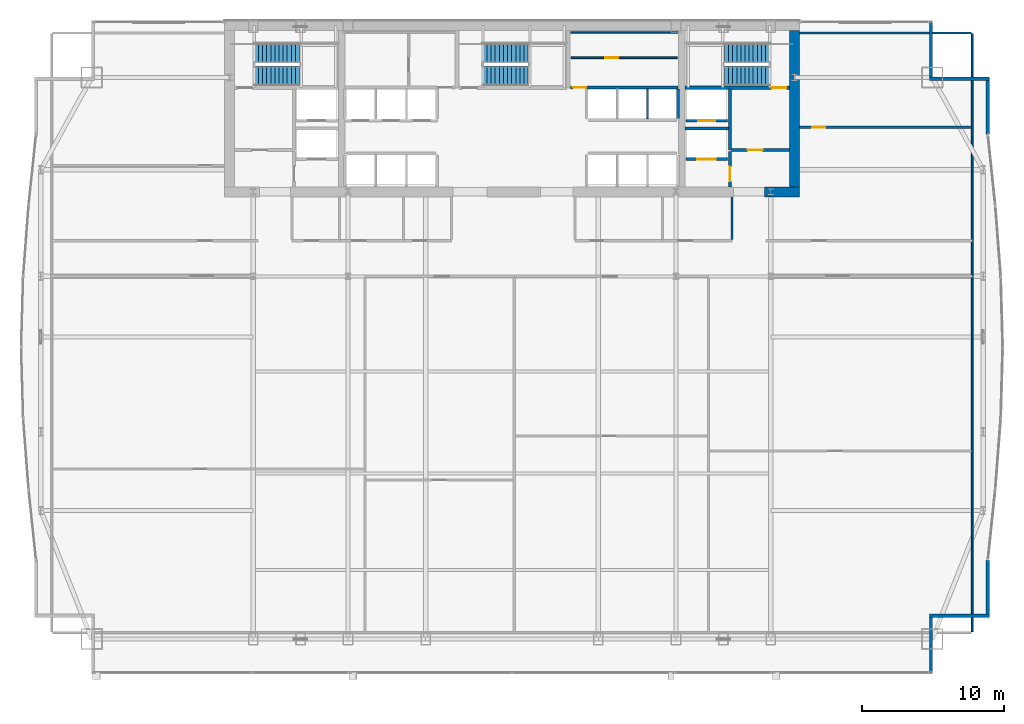
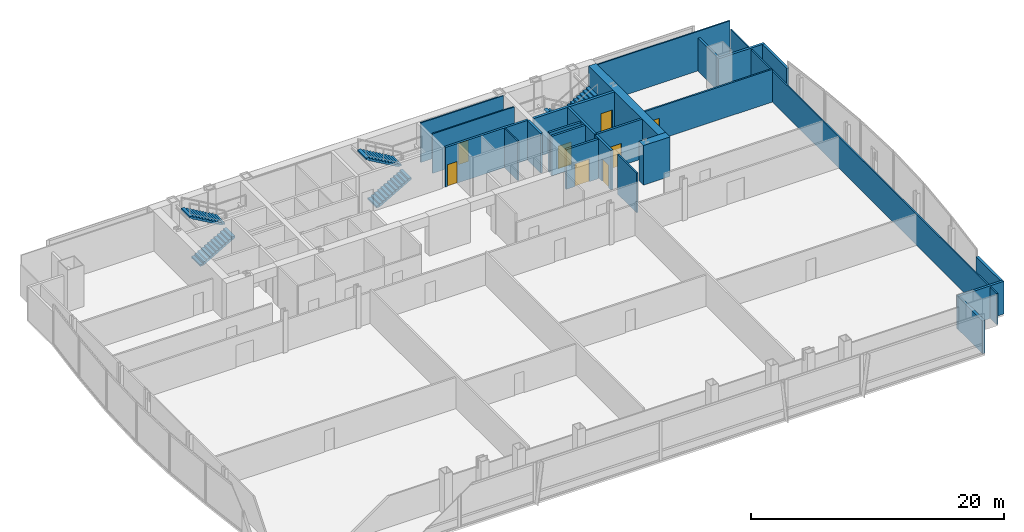
# One storey, part 28 of 30: 24 walls, 8 doors, 6 stair flights, 8 openings, 3 elements without a shape of their own.
"""IFC4 building model written with IfcOpenShell, lengths in metres."""

from ifc_helpers import new_model, si_unit, direction, frame, frame_2d, origin, place, context, subcontext, project, spatial, polyline, rectangle, outline, extrude, material, layer, layer_set, type_object, element, fill, aggregate, save


model = new_model("IFC4")

# Units and contexts
model_context = context("Model", 3, precision=1e-05, world=origin(), true_north=direction((0.0, 1.0)))
body_context = subcontext(model_context, "Body", "Model", "MODEL_VIEW")
ifc_project = project(units=[si_unit("LENGTHUNIT", "METRE"), si_unit("AREAUNIT", "SQUARE_METRE"), si_unit("VOLUMEUNIT", "CUBIC_METRE"), si_unit("PLANEANGLEUNIT", "RADIAN"), si_unit("MASSUNIT", "GRAM", prefix="KILO")], contexts=[model_context])

# Site, building, storey
site_placement = place(None, origin())
site = spatial("IfcSite", under=ifc_project, at=site_placement, CompositionType="ELEMENT")
building_placement = place(site_placement, origin())
building = spatial("IfcBuilding", under=site, at=building_placement, Name="Khoronbel Lancet Exchange", CompositionType="ELEMENT")
storey_placement = place(building_placement, frame((0.0, 0.0, 90.60009765625)))
storey = spatial("IfcBuildingStorey", under=building, at=storey_placement, Name="L21", CompositionType="ELEMENT", Elevation=90.60009765625)

# Walls
ifc_material_1 = material(Name="Concrete C80/95", Category="concrete")
ifc_layer_1 = layer(ifc_material_1, 0.699951171875, Name="Concrete C80/95")
ifc_layer_set_1 = layer_set([ifc_layer_1], Name="Concrete C80/95")
wall_type_1 = type_object("IfcWallType", Name="WL-CW2", PredefinedType="SHEAR", material=ifc_layer_set_1)
wall_1_placement = place(storey_placement, frame((56.35009765625, 53.0, 0.0), z_axis=(0.0, 0.0, 1.0), x_axis=(0.0, -1.0, 0.0)))
element("IfcWall", 1, at=wall_1_placement, inside=storey, type_object=wall_type_1, Name="Level L21 rear core east shear wall", PredefinedType="SHEAR", context=body_context, shape_type="SweptSolid", body=[
    extrude(rectangle(XDim=11.0, YDim=0.699951171875, at=frame_2d((5.5, 0.0))), origin(), (0.0, 0.0, 1.0), 3.81982421875),
])
wall_2_placement = place(storey_placement, frame((56.699951171875, 41.64990234375, 0.0), z_axis=(0.0, 0.0, 1.0), x_axis=(-1.0, 0.0, 0.0)))
element("IfcWall", 2, at=wall_2_placement, inside=storey, type_object=wall_type_1, Name="Level L21 rear core south shear wall pier P5", PredefinedType="SHEAR", context=body_context, shape_type="SweptSolid", body=[
    extrude(rectangle(XDim=2.449951171875, YDim=0.699951171875, at=frame_2d((1.22509765625, 0.0))), origin(), (0.0, 0.0, 1.0), 3.81982421875),
])
ifc_material_2 = material(Name="Precast concrete C40/50", Category="concrete")
ifc_layer_2 = layer(ifc_material_2, 0.25, Name="Precast concrete C40/50")
ifc_layer_set_2 = layer_set([ifc_layer_2], Name="Precast concrete C40/50")
wall_type_2 = type_object("IfcWallType", Name="WL-EXT250", PredefinedType="SOLIDWALL", material=ifc_layer_set_2)
wall_3_placement = place(storey_placement, frame((65.9599609375, 53.6298828125, 0.0), z_axis=(0.0, 0.0, 1.0), x_axis=(0.0, -1.0, 0.0)))
element("IfcWall", 3, at=wall_3_placement, inside=storey, type_object=wall_type_2, Name="Level L21 notched-corner limestone pier 14", PredefinedType="SOLIDWALL", context=body_context, shape_type="SweptSolid", body=[
    extrude(rectangle(XDim=3.909912109375, YDim=0.219970703125, at=frame_2d((1.955078125, 0.0))), origin(), (0.0, 0.0, 1.0), 3.159912109375),
])
wall_4_placement = place(storey_placement, frame((65.85009765625, 49.610107421875, 0.0), z_axis=(0.0, 0.0, 1.0), x_axis=(1.0, 0.0, 0.0)))
element("IfcWall", 4, at=wall_4_placement, inside=storey, type_object=wall_type_2, Name="Level L21 notched-corner limestone pier 15", PredefinedType="SOLIDWALL", context=body_context, shape_type="SweptSolid", body=[
    extrude(rectangle(XDim=4.219970703125, YDim=0.219970703125, at=frame_2d((2.10986328125, 0.0))), origin(), (0.0, 0.0, 1.0), 3.159912109375),
])
for number, where, z_axis, x_axis, name in (
    (5, (69.9599609375, 49.5, 0.0), (0.0, 0.0, 1.0), (0.0, -1.0, 0.0), "Level L21 notched-corner limestone pier 16"),
    (6, (69.9599609375, 15.724609375, 0.0), (0.0, 0.0, 1.0), (0.0, -1.0, 0.0), "Level L21 notched-corner limestone pier 23"),
):
    element("IfcWall", number, at=place(storey_placement, frame(where, z_axis=z_axis, x_axis=x_axis)), inside=storey, type_object=wall_type_2, Name=name, PredefinedType="SOLIDWALL", context=body_context, shape_type="SweptSolid", body=[
        extrude(rectangle(XDim=3.82470703125, YDim=0.219970703125, at=frame_2d((1.912353515625, 0.0))), origin(), (0.0, 0.0, 1.0), 3.159912109375),
    ])
wall_5_placement = place(storey_placement, frame((70.070068359375, 11.7900390625, 0.0), z_axis=(0.0, 0.0, 1.0), x_axis=(-1.0, 0.0, 0.0)))
element("IfcWall", 7, at=wall_5_placement, inside=storey, type_object=wall_type_2, Name="Level L21 notched-corner limestone pier 24", PredefinedType="SOLIDWALL", context=body_context, shape_type="SweptSolid", body=[
    extrude(rectangle(XDim=4.219970703125, YDim=0.219970703125, at=frame_2d((2.10986328125, 0.0))), origin(), (0.0, 0.0, 1.0), 3.159912109375),
])
wall_6_placement = place(storey_placement, frame((65.9599609375, 11.679931640625, 0.0), z_axis=(0.0, 0.0, 1.0), x_axis=(0.0, -1.0, 0.0)))
element("IfcWall", 8, at=wall_6_placement, inside=storey, type_object=wall_type_2, Name="Level L21 notched-corner limestone pier 25", PredefinedType="SOLIDWALL", context=body_context, shape_type="SweptSolid", body=[
    extrude(rectangle(XDim=3.909912109375, YDim=0.219970703125, at=frame_2d((1.955078125, 0.0))), origin(), (0.0, 0.0, 1.0), 3.159912109375),
])
ifc_material_3 = material(Name="Acoustic Metal-Stud & Mineral-Wool Gypsum Partition 120 mm", Category="gypsum")
ifc_layer_3 = layer(ifc_material_3, 0.1201171875, Name="Acoustic Metal-Stud & Mineral-Wool Gypsum Partition 120 mm")
ifc_layer_set_3 = layer_set([ifc_layer_3], Name="Acoustic Metal-Stud & Mineral-Wool Gypsum Partition 120 mm")
wall_type_3 = type_object("IfcWallType", Name="WL-PRT120", PredefinedType="PARTITIONING", material=ifc_layer_set_3)
wall_7_placement = place(storey_placement, frame((51.949951171875, 38.280029296875, 0.0), z_axis=(0.0, 0.0, 1.0), x_axis=(0.0, 1.0, 0.0)))
element("IfcWall", 9, at=wall_7_placement, inside=storey, type_object=wall_type_3, Name="Level L21 interior partition PW-NP-1", PredefinedType="PARTITIONING", context=body_context, shape_type="SweptSolid", body=[
    extrude(rectangle(XDim=3.02001953125, YDim=0.14990234375, at=frame_2d((1.510009765625, 0.0))), origin(), (0.0, 0.0, 1.0), 3.81982421875),
])

# Wall, opening, door
wall_8_placement = place(storey_placement, frame((56.699951171875, 46.199951171875, 0.0), z_axis=(0.0, 0.0, 1.0), x_axis=(1.0, 0.0, 0.0)))
wall_8 = element("IfcWall", 10, at=wall_8_placement, inside=storey, type_object=wall_type_3, Name="Level L21 interior partition PW-NE-H", PredefinedType="PARTITIONING", context=body_context, shape_type="SweptSolid", body=[
    extrude(rectangle(XDim=12.10498046875, YDim=0.14990234375, at=frame_2d((6.052490234375, 0.0))), origin(), (0.0, 0.0, 1.0), 3.159912109375),
])
opening_1_placement = place(wall_8_placement, frame((0.89990234375, 0.0, 0.0)))
opening_1 = element("IfcOpeningElement", 11, at=opening_1_placement, cuts=wall_8, Name="Opening D5", PredefinedType="OPENING", context=body_context, shape_type="SweptSolid", body=[
    extrude(rectangle(XDim=0.89990234375, YDim=2.050048828125, at=frame_2d((0.449951171875, 1.02490234375))), frame((0.0, 0.0849609375, 0.0), z_axis=(0.0, -1.0, 0.0), x_axis=(1.0, 0.0, 0.0)), (0.0, 0.0, 1.0), 0.169921875),
])
ifc_material_4 = material(Name="Acoustic Timber Pantry & Support Door", Category="wood")
door_type_1 = type_object("IfcDoorType", Name="DR-D5", OperationType="NOTDEFINED", PredefinedType="DOOR", material=ifc_material_4)
door_1_placement = place(opening_1_placement, origin())
door_1 = element("IfcDoor", 12, at=door_1_placement, inside=storey, type_object=door_type_1, Name="NE north room door L21-1", OperationType="SINGLE_SWING_RIGHT", OverallHeight=2.050048828125, OverallWidth=0.89990234375, PredefinedType="DOOR", context=body_context, shape_type="SweptSolid", body=[
    extrude(rectangle(XDim=0.89990234375, YDim=2.050048828125, at=frame_2d((0.449951171875, 1.02490234375))), frame((0.0, 0.02490234375, 0.0), z_axis=(0.0, -1.0, 0.0), x_axis=(1.0, 0.0, 0.0)), (0.0, 0.0, 1.0), 0.050048828125),
])
fill(opening_1, door_1)

# Walls
wall_9_placement = place(storey_placement, frame((68.8701171875, 10.6650390625, 0.0), z_axis=(0.0, 0.0, 1.0), x_axis=(0.0, 1.0, 0.0)))
element("IfcWall", 13, at=wall_9_placement, inside=storey, type_object=wall_type_3, Name="Level L21 interior partition PW-LIN-E", PredefinedType="PARTITIONING", context=body_context, shape_type="SweptSolid", body=[
    extrude(rectangle(XDim=42.10986328125, YDim=0.1201171875, at=frame_2d((21.054931640625, 0.0))), origin(), (0.0, 0.0, 1.0), 3.010009765625),
])
wall_10_placement = place(storey_placement, frame((56.699951171875, 52.840087890625, 0.0), z_axis=(0.0, 0.0, 1.0), x_axis=(1.0, 0.0, 0.0)))
element("IfcWall", 14, at=wall_10_placement, inside=storey, type_object=wall_type_3, Name="Level L21 interior partition PW-LIN-NE", PredefinedType="PARTITIONING", context=body_context, shape_type="SweptSolid", body=[
    extrude(rectangle(XDim=12.10498046875, YDim=0.1201171875, at=frame_2d((6.052490234375, 0.0))), origin(), (0.0, 0.0, 1.0), 3.81982421875),
])
ifc_material_5 = material(Name="Fire-Rated Metal-Stud & Mineral-Wool Gypsum Partition 120 mm", Category="gypsum")
ifc_layer_4 = layer(ifc_material_5, 0.1201171875, Name="Fire-Rated Metal-Stud & Mineral-Wool Gypsum Partition 120 mm")
ifc_layer_set_4 = layer_set([ifc_layer_4], Name="Fire-Rated Metal-Stud & Mineral-Wool Gypsum Partition 120 mm")
wall_type_4 = type_object("IfcWallType", Name="WL-PRT120F", PredefinedType="PARTITIONING", material=ifc_layer_set_4)
wall_11_placement = place(storey_placement, frame((46.0, 46.804931640625, 0.0), z_axis=(0.0, 0.0, 1.0), x_axis=(0.0, 1.0, 0.0)))
element("IfcWall", 15, at=wall_11_placement, inside=storey, type_object=wall_type_4, Name="Level L21 interior partition CW-PH-D2", PredefinedType="PARTITIONING", context=body_context, shape_type="SweptSolid", body=[
    extrude(rectangle(XDim=2.090087890625, YDim=0.1201171875, at=frame_2d((1.044921875, 0.0))), origin(), (0.0, 0.0, 1.0), 3.81982421875),
])
wall_12_placement = place(storey_placement, frame((40.580078125, 52.860107421875, 0.0), z_axis=(0.0, 0.0, 1.0), x_axis=(1.0, 0.0, 0.0)))
element("IfcWall", 16, at=wall_12_placement, inside=storey, type_object=wall_type_4, Name="Level L21 interior partition CW-SUP-NE-N", PredefinedType="PARTITIONING", context=body_context, shape_type="SweptSolid", body=[
    extrude(rectangle(XDim=7.559814453125, YDim=0.1201171875, at=frame_2d((3.77978515625, 0.0))), origin(), (0.0, 0.0, 1.0), 3.81982421875),
])

# Wall, opening, door
wall_13_placement = place(storey_placement, frame((40.6298828125, 51.090087890625, 0.0), z_axis=(0.0, 0.0, 1.0), x_axis=(1.0, 0.0, 0.0)))
wall_13 = element("IfcWall", 17, at=wall_13_placement, inside=storey, type_object=wall_type_4, Name="Level L21 interior partition CW-SUP-NE-H", PredefinedType="PARTITIONING", context=body_context, shape_type="SweptSolid", body=[
    extrude(rectangle(XDim=7.460205078125, YDim=0.1201171875, at=frame_2d((3.72998046875, 0.0))), origin(), (0.0, 0.0, 1.0), 3.81982421875),
])
opening_2_placement = place(wall_13_placement, frame((2.39990234375, 0.0, 0.0)))
opening_2 = element("IfcOpeningElement", 18, at=opening_2_placement, cuts=wall_13, Name="Opening FD4", PredefinedType="OPENING", context=body_context, shape_type="SweptSolid", body=[
    extrude(rectangle(XDim=0.89990234375, YDim=2.050048828125, at=frame_2d((0.449951171875, 1.02490234375))), frame((0.0, 0.070068359375, 0.0), z_axis=(0.0, -1.0, 0.0), x_axis=(1.0, 0.0, 0.0)), (0.0, 0.0, 1.0), 0.14013671875),
])
ifc_material_6 = material(Name="Fire-Rated Steel Core Support Door Assembly", Category="steel")
door_type_2 = type_object("IfcDoorType", Name="DR-FD4", OperationType="NOTDEFINED", PredefinedType="DOOR", material=ifc_material_6)
door_2_placement = place(opening_2_placement, origin())
door_2 = element("IfcDoor", 19, at=door_2_placement, inside=storey, type_object=door_type_2, Name="Core NE north store door L21-1", OperationType="SINGLE_SWING_LEFT", OverallHeight=2.050048828125, OverallWidth=0.89990234375, PredefinedType="DOOR", context=body_context, shape_type="SweptSolid", body=[
    extrude(rectangle(XDim=0.89990234375, YDim=2.050048828125, at=frame_2d((0.449951171875, 1.02490234375))), frame((0.0, 0.02490234375, 0.0), z_axis=(0.0, -1.0, 0.0), x_axis=(1.0, 0.0, 0.0)), (0.0, 0.0, 1.0), 0.050048828125),
])
fill(opening_2, door_2)

ifc_material_7 = material(Name="Autoclaved Aerated Concrete Blockwork 200 mm", Category="masonry")
ifc_layer_5 = layer(ifc_material_7, 0.199951171875, Name="Autoclaved Aerated Concrete Blockwork 200 mm")
ifc_layer_set_5 = layer_set([ifc_layer_5], Name="Autoclaved Aerated Concrete Blockwork 200 mm")
wall_type_5 = type_object("IfcWallType", Name="WL-PRT200", PredefinedType="PARTITIONING", material=ifc_layer_set_5)
wall_14_placement = place(storey_placement, frame((51.610107421875, 43.949951171875, 0.0), z_axis=(0.0, 0.0, 1.0), x_axis=(-1.0, 0.0, 0.0)))
wall_14 = element("IfcWall", 20, at=wall_14_placement, inside=storey, type_object=wall_type_5, Name="Level L21 elevator hoistway landing front wall SVLE", PredefinedType="PARTITIONING", context=body_context, shape_type="SweptSolid", body=[
    extrude(rectangle(XDim=2.920166015625, YDim=0.199951171875, at=frame_2d((1.4599609375, 0.0))), origin(), (0.0, 0.0, 1.0), 3.81982421875),
])
opening_3_placement = place(wall_14_placement, frame((0.81005859375, 0.0, 0.0)))
opening_3 = element("IfcOpeningElement", 21, at=opening_3_placement, cuts=wall_14, Name="Opening LD-SVL2", PredefinedType="OPENING", context=body_context, shape_type="SweptSolid", body=[
    extrude(rectangle(XDim=1.300048828125, YDim=2.179931640625, at=frame_2d((0.64990234375, 1.08984375))), frame((0.0, 0.10986328125, 0.0), z_axis=(0.0, -1.0, 0.0), x_axis=(1.0, 0.0, 0.0)), (0.0, 0.0, 1.0), 0.219970703125),
])
ifc_material_8 = material(Name="Heavy-Duty Bi-Parting Goods Lift Landing Door", Category="steel")
door_type_3 = type_object("IfcDoorType", Name="DR-LD-SVL", OperationType="NOTDEFINED", PredefinedType="DOOR", material=ifc_material_8)
door_3_placement = place(opening_3_placement, origin())
door_3 = element("IfcDoor", 22, at=door_3_placement, inside=storey, type_object=door_type_3, Name="Elevator landing sliding door LD-SVL2 L21", OperationType="SLIDING_TO_LEFT", OverallHeight=2.179931640625, OverallWidth=1.300048828125, PredefinedType="DOOR", context=body_context, shape_type="SweptSolid", body=[
    extrude(rectangle(XDim=1.300048828125, YDim=2.179931640625, at=frame_2d((0.64990234375, 1.08984375))), frame((0.0, 0.02490234375, 0.0), z_axis=(0.0, -1.0, 0.0), x_axis=(1.0, 0.0, 0.0)), (0.0, 0.0, 1.0), 0.050048828125),
])
fill(opening_3, door_3)

wall_15_placement = place(storey_placement, frame((51.610107421875, 46.64990234375, 0.0), z_axis=(0.0, 0.0, 1.0), x_axis=(-1.0, 0.0, 0.0)))
wall_15 = element("IfcWall", 23, at=wall_15_placement, inside=storey, type_object=wall_type_5, Name="Level L21 elevator hoistway landing front wall FFLE", PredefinedType="PARTITIONING", context=body_context, shape_type="SweptSolid", body=[
    extrude(rectangle(XDim=2.920166015625, YDim=0.199951171875, at=frame_2d((1.4599609375, 0.0))), origin(), (0.0, 0.0, 1.0), 3.81982421875),
])
opening_4_placement = place(wall_15_placement, frame((0.860107421875, 0.0, 0.0)))
opening_4 = element("IfcOpeningElement", 24, at=opening_4_placement, cuts=wall_15, Name="Opening LD-FFL2", PredefinedType="OPENING", context=body_context, shape_type="SweptSolid", body=[
    extrude(rectangle(XDim=1.199951171875, YDim=2.179931640625, at=frame_2d((0.60009765625, 1.08984375))), frame((0.0, 0.10986328125, 0.0), z_axis=(0.0, -1.0, 0.0), x_axis=(1.0, 0.0, 0.0)), (0.0, 0.0, 1.0), 0.219970703125),
])
ifc_material_9 = material(Name="Fire-Rated Stainless Bi-Parting Firefighting Lift Door", Category="steel")
door_type_4 = type_object("IfcDoorType", Name="DR-LD-FFL", OperationType="NOTDEFINED", PredefinedType="DOOR", material=ifc_material_9)
door_4_placement = place(opening_4_placement, origin())
door_4 = element("IfcDoor", 25, at=door_4_placement, inside=storey, type_object=door_type_4, Name="Elevator landing sliding door LD-FFL2 L21", OperationType="SLIDING_TO_LEFT", OverallHeight=2.179931640625, OverallWidth=1.199951171875, PredefinedType="DOOR", context=body_context, shape_type="SweptSolid", body=[
    extrude(rectangle(XDim=1.199951171875, YDim=2.179931640625, at=frame_2d((0.60009765625, 1.08984375))), frame((0.0, 0.02490234375, 0.0), z_axis=(0.0, -1.0, 0.0), x_axis=(1.0, 0.0, 0.0)), (0.0, 0.0, 1.0), 0.050048828125),
])
fill(opening_4, door_4)

# Wall
wall_16_placement = place(storey_placement, frame((51.800048828125, 44.60009765625, 0.0), z_axis=(0.0, 0.0, 1.0), x_axis=(0.0, 1.0, 0.0)))
element("IfcWall", 26, at=wall_16_placement, inside=storey, type_object=wall_type_5, Name="Level L21 interior partition CW-FFLE-W", PredefinedType="PARTITIONING", context=body_context, shape_type="SweptSolid", body=[
    extrude(rectangle(XDim=4.2998046875, YDim=0.199951171875, at=frame_2d((2.14990234375, 0.0))), origin(), (0.0, 0.0, 1.0), 3.81982421875),
])

# Wall, opening, door
wall_17_placement = place(storey_placement, frame((51.89990234375, 44.60009765625, 0.0), z_axis=(0.0, 0.0, 1.0), x_axis=(1.0, 0.0, 0.0)))
wall_17 = element("IfcWall", 27, at=wall_17_placement, inside=storey, type_object=wall_type_5, Name="Level L21 interior partition CW-FFLE-S", PredefinedType="PARTITIONING", context=body_context, shape_type="SweptSolid", body=[
    extrude(rectangle(XDim=4.10009765625, YDim=0.199951171875, at=frame_2d((2.050048828125, 0.0))), origin(), (0.0, 0.0, 1.0), 3.81982421875),
])
opening_5_placement = place(wall_17_placement, frame((1.14990234375, 0.0, 0.0)))
opening_5 = element("IfcOpeningElement", 28, at=opening_5_placement, cuts=wall_17, Name="Opening FD1", PredefinedType="OPENING", context=body_context, shape_type="SweptSolid", body=[
    extrude(rectangle(XDim=1.050048828125, YDim=2.14990234375, at=frame_2d((0.52490234375, 1.074951171875))), frame((0.0, 0.10986328125, 0.0), z_axis=(0.0, -1.0, 0.0), x_axis=(1.0, 0.0, 0.0)), (0.0, 0.0, 1.0), 0.219970703125),
])
ifc_material_10 = material(Name="Fire-Rated Painted Steel Door Assembly", Category="steel")
door_type_5 = type_object("IfcDoorType", Name="DR-FD1", OperationType="NOTDEFINED", PredefinedType="DOOR", material=ifc_material_10)
door_5_placement = place(opening_5_placement, origin())
door_5 = element("IfcDoor", 29, at=door_5_placement, inside=storey, type_object=door_type_5, Name="East firefighting lobby FD90S door L21-1", OperationType="SINGLE_SWING_RIGHT", OverallHeight=2.14990234375, OverallWidth=1.050048828125, PredefinedType="DOOR", context=body_context, shape_type="SweptSolid", body=[
    extrude(rectangle(XDim=1.050048828125, YDim=2.14990234375, at=frame_2d((0.52490234375, 1.074951171875))), frame((0.0, 0.02490234375, 0.0), z_axis=(0.0, -1.0, 0.0), x_axis=(1.0, 0.0, 0.0)), (0.0, 0.0, 1.0), 0.050048828125),
])
fill(opening_5, door_5)

# Wall
wall_18_placement = place(storey_placement, frame((48.6298828125, 46.1201171875, 0.0), z_axis=(0.0, 0.0, 1.0), x_axis=(1.0, 0.0, 0.0)))
element("IfcWall", 30, at=wall_18_placement, inside=storey, type_object=wall_type_5, Name="Level L21 interior partition CW-FFL2-S", PredefinedType="PARTITIONING", context=body_context, shape_type="SweptSolid", body=[
    extrude(rectangle(XDim=3.070068359375, YDim=0.199951171875, at=frame_2d((1.53515625, 0.0))), origin(), (0.0, 0.0, 1.0), 3.81982421875),
])

# Wall, opening, door
wall_19_placement = place(storey_placement, frame((51.800048828125, 42.0, 0.0), z_axis=(0.0, 0.0, 1.0), x_axis=(0.0, 1.0, 0.0)))
wall_19 = element("IfcWall", 31, at=wall_19_placement, inside=storey, type_object=wall_type_5, Name="Level L21 interior partition CW-SVLE-E", PredefinedType="PARTITIONING", context=body_context, shape_type="SweptSolid", body=[
    extrude(rectangle(XDim=2.4951171875, YDim=0.199951171875, at=frame_2d((1.24755859375, 0.0))), origin(), (0.0, 0.0, 1.0), 3.81982421875),
])
opening_6_placement = place(wall_19_placement, frame((0.3798828125, 0.0, 0.0)))
opening_6 = element("IfcOpeningElement", 32, at=opening_6_placement, cuts=wall_19, Name="Opening FD1", PredefinedType="OPENING", context=body_context, shape_type="SweptSolid", body=[
    extrude(rectangle(XDim=1.050048828125, YDim=2.14990234375, at=frame_2d((0.52490234375, 1.074951171875))), frame((0.0, 0.10986328125, 0.0), z_axis=(0.0, -1.0, 0.0), x_axis=(1.0, 0.0, 0.0)), (0.0, 0.0, 1.0), 0.219970703125),
])
door_6_placement = place(opening_6_placement, origin())
door_6 = element("IfcDoor", 33, at=door_6_placement, inside=storey, type_object=door_type_5, Name="East service lift lobby door L21-1", OperationType="SINGLE_SWING_LEFT", OverallHeight=2.14990234375, OverallWidth=1.050048828125, PredefinedType="DOOR", context=body_context, shape_type="SweptSolid", body=[
    extrude(rectangle(XDim=1.050048828125, YDim=2.14990234375, at=frame_2d((0.52490234375, 1.074951171875))), frame((0.0, 0.02490234375, 0.0), z_axis=(0.0, -1.0, 0.0), x_axis=(1.0, 0.0, 0.0)), (0.0, 0.0, 1.0), 0.050048828125),
])
fill(opening_6, door_6)

# Wall
wall_20_placement = place(storey_placement, frame((48.139892578125, 46.804931640625, 0.0), z_axis=(0.0, 0.0, 1.0), x_axis=(0.0, 1.0, 0.0)))
element("IfcWall", 34, at=wall_20_placement, inside=storey, type_object=wall_type_5, Name="Level L21 interior partition CW-PH-E", PredefinedType="PARTITIONING", context=body_context, shape_type="SweptSolid", body=[
    extrude(rectangle(XDim=2.090087890625, YDim=0.199951171875, at=frame_2d((1.044921875, 0.0))), origin(), (0.0, 0.0, 1.0), 3.81982421875),
])

# Wall, opening, door
wall_21_placement = place(storey_placement, frame((40.580078125, 49.0, 0.0), z_axis=(0.0, 0.0, 1.0), x_axis=(1.0, 0.0, 0.0)))
wall_21 = element("IfcWall", 35, at=wall_21_placement, inside=storey, type_object=wall_type_5, Name="Level L21 interior partition CW-SUP-NE-S", PredefinedType="PARTITIONING", context=body_context, shape_type="SweptSolid", body=[
    extrude(rectangle(XDim=7.559814453125, YDim=0.199951171875, at=frame_2d((3.77978515625, 0.0))), origin(), (0.0, 0.0, 1.0), 3.81982421875),
])
opening_7_placement = place(wall_21_placement, frame((0.159912109375, 0.0, 0.0)))
opening_7 = element("IfcOpeningElement", 36, at=opening_7_placement, cuts=wall_21, Name="Opening FD3", PredefinedType="OPENING", context=body_context, shape_type="SweptSolid", body=[
    extrude(rectangle(XDim=0.949951171875, YDim=2.10009765625, at=frame_2d((0.47509765625, 1.050048828125))), frame((0.0, 0.10986328125, 0.0), z_axis=(0.0, -1.0, 0.0), x_axis=(1.0, 0.0, 0.0)), (0.0, 0.0, 1.0), 0.219970703125),
])
ifc_material_11 = material(Name="Fire-Rated Steel Plant & Riser Door Assembly", Category="steel")
door_type_6 = type_object("IfcDoorType", Name="DR-FD3", OperationType="NOTDEFINED", PredefinedType="DOOR", material=ifc_material_11)
door_7_placement = place(opening_7_placement, origin())
door_7 = element("IfcDoor", 37, at=door_7_placement, inside=storey, type_object=door_type_6, Name="Core NE support room door L21-1", OperationType="SINGLE_SWING_RIGHT", OverallHeight=2.10009765625, OverallWidth=0.949951171875, PredefinedType="DOOR", context=body_context, shape_type="SweptSolid", body=[
    extrude(rectangle(XDim=0.949951171875, YDim=2.10009765625, at=frame_2d((0.47509765625, 1.050048828125))), frame((0.0, 0.02490234375, 0.0), z_axis=(0.0, -1.0, 0.0), x_axis=(1.0, 0.0, 0.0)), (0.0, 0.0, 1.0), 0.050048828125),
])
fill(opening_7, door_7)

ifc_material_12 = material(Name="Concrete C60/75", Category="concrete")
ifc_layer_6 = layer(ifc_material_12, 0.260009765625, Name="Concrete C60/75")
ifc_layer_set_6 = layer_set([ifc_layer_6], Name="Concrete C60/75")
wall_type_6 = type_object("IfcWallType", Name="WL-SW3", PredefinedType="SHEAR", material=ifc_layer_set_6)
wall_22_placement = place(storey_placement, frame((48.6298828125, 48.97998046875, 0.0), z_axis=(0.0, 0.0, 1.0), x_axis=(1.0, 0.0, 0.0)))
wall_22 = element("IfcWall", 38, at=wall_22_placement, inside=storey, type_object=wall_type_6, Name="Level L21 east stairwell structural south wall", PredefinedType="SHEAR", context=body_context, shape_type="SweptSolid", body=[
    extrude(rectangle(XDim=7.3701171875, YDim=0.239990234375, at=frame_2d((3.68505859375, 0.0))), origin(), (0.0, 0.0, 1.0), 3.81982421875),
])
opening_8_placement = place(wall_22_placement, frame((6.10009765625, 0.0, 0.0)))
opening_8 = element("IfcOpeningElement", 39, at=opening_8_placement, cuts=wall_22, Name="Opening SD1", PredefinedType="OPENING", context=body_context, shape_type="SweptSolid", body=[
    extrude(rectangle(XDim=1.050048828125, YDim=2.14990234375, at=frame_2d((0.52490234375, 1.074951171875))), frame((0.0, 0.1298828125, 0.0), z_axis=(0.0, -1.0, 0.0), x_axis=(1.0, 0.0, 0.0)), (0.0, 0.0, 1.0), 0.260009765625),
])
ifc_material_13 = material(Name="Fire-Rated Steel Stairwell Door Assembly", Category="steel")
door_type_7 = type_object("IfcDoorType", Name="DR-SD1", OperationType="NOTDEFINED", PredefinedType="DOOR", material=ifc_material_13)
door_8_placement = place(opening_8_placement, origin())
door_8 = element("IfcDoor", 40, at=door_8_placement, inside=storey, type_object=door_type_7, Name="Protected exit stair ST2 door L21", OperationType="SINGLE_SWING_RIGHT", OverallHeight=2.14990234375, OverallWidth=1.050048828125, PredefinedType="DOOR", context=body_context, shape_type="SweptSolid", body=[
    extrude(rectangle(XDim=1.050048828125, YDim=2.14990234375, at=frame_2d((0.52490234375, 1.074951171875))), frame((0.0, 0.02490234375, 0.0), z_axis=(0.0, -1.0, 0.0), x_axis=(1.0, 0.0, 0.0)), (0.0, 0.0, 1.0), 0.050048828125),
])
fill(opening_8, door_8)

# Stair, stair flights
ifc_material_14 = material(Name="Concrete C40/50", Category="concrete")
stair_type = type_object("IfcStairType", Name="STR-CORE150", PredefinedType="HALF_TURN_STAIR", material=ifc_material_14)
stair_1_placement = place(storey_placement, origin())
stair_1 = element("IfcStair", 41, at=stair_1_placement, inside=storey, type_object=stair_type, Name="L21 Protected Exit Stair ST1", PredefinedType="HALF_TURN_STAIR")
stair_flight_type = type_object("IfcStairFlightType", Name="STF-150", PredefinedType="STRAIGHT", material=ifc_material_14)
stair_flight_1_placement = place(storey_placement, frame((18.300048828125, 49.81005859375, 0.0), z_axis=(0.0, 0.0, 1.0), x_axis=(1.0, 0.0, 0.0)))
stair_flight_1 = element("IfcStairFlight", 42, at=stair_flight_1_placement, type_object=stair_flight_type, Name="ST1 flight 1", NumberOfRisers=12, NumberOfTreads=11, PredefinedType="STRAIGHT", RiserHeight=0.166666667, TreadLength=0.29, context=body_context, shape_type="SweptSolid", body=[
    extrude(outline(polyline([(0.0, 0.0), (0.0, 0.166748046875), (0.2900390625, 0.166748046875), (0.2900390625, 0.333251953125), (0.580078125, 0.333251953125), (0.580078125, 0.5), (0.8701171875, 0.5), (0.8701171875, 0.666748046875), (1.159912109375, 0.666748046875), (1.159912109375, 0.833251953125), (1.449951171875, 0.833251953125), (1.449951171875, 1.0), (1.739990234375, 1.0), (1.739990234375, 1.166748046875), (2.030029296875, 1.166748046875), (2.030029296875, 1.333251953125), (2.320068359375, 1.333251953125), (2.320068359375, 1.5), (2.610107421875, 1.5), (2.610107421875, 1.666748046875), (2.89990234375, 1.666748046875), (2.89990234375, 1.833251953125), (3.18994140625, 1.833251953125), (3.18994140625, 2.0), (3.18994140625, 1.660400390625), (0.30078125, 0.0), (0.0, 0.0)])), frame((0.0, 0.68994140625, 0.0), z_axis=(0.0, -1.0, 0.0), x_axis=(1.0, 0.0, 0.0)), (0.0, 0.0, 1.0), 1.3798828125),
])
stair_flight_2_placement = place(storey_placement, frame((21.489990234375, 51.409912109375, 2.0), z_axis=(0.0, 0.0, 1.0), x_axis=(-1.0, 0.0, 0.0)))
stair_flight_2 = element("IfcStairFlight", 43, at=stair_flight_2_placement, type_object=stair_flight_type, Name="ST1 flight 2", NumberOfRisers=12, NumberOfTreads=11, PredefinedType="STRAIGHT", RiserHeight=0.166666667, TreadLength=0.29, context=body_context, shape_type="SweptSolid", body=[
    extrude(outline(polyline([(0.0, 0.0), (0.0, 0.166748046875), (0.2900390625, 0.166748046875), (0.2900390625, 0.333251953125), (0.580078125, 0.333251953125), (0.580078125, 0.5), (0.8701171875, 0.5), (0.8701171875, 0.666748046875), (1.159912109375, 0.666748046875), (1.159912109375, 0.833251953125), (1.449951171875, 0.833251953125), (1.449951171875, 1.0), (1.739990234375, 1.0), (1.739990234375, 1.166748046875), (2.030029296875, 1.166748046875), (2.030029296875, 1.333251953125), (2.320068359375, 1.333251953125), (2.320068359375, 1.5), (2.610107421875, 1.5), (2.610107421875, 1.666748046875), (2.89990234375, 1.666748046875), (2.89990234375, 1.833251953125), (3.18994140625, 1.833251953125), (3.18994140625, 2.0), (3.18994140625, 1.660400390625), (0.30078125, 0.0), (0.0, 0.0)])), frame((0.0, 0.68994140625, 0.0), z_axis=(0.0, -1.0, 0.0), x_axis=(1.0, 0.0, 0.0)), (0.0, 0.0, 1.0), 1.3798828125),
])
aggregate(stair_1, [stair_flight_1, stair_flight_2])

stair_2_placement = place(storey_placement, origin())
stair_2 = element("IfcStair", 44, at=stair_2_placement, inside=storey, type_object=stair_type, Name="L21 Protected Exit Stair ST2", PredefinedType="HALF_TURN_STAIR")
stair_flight_3_placement = place(storey_placement, frame((54.60009765625, 51.409912109375, 0.0), z_axis=(0.0, 0.0, 1.0), x_axis=(-1.0, 0.0, 0.0)))
stair_flight_3 = element("IfcStairFlight", 45, at=stair_flight_3_placement, type_object=stair_flight_type, Name="ST2 flight 1", NumberOfRisers=12, NumberOfTreads=11, PredefinedType="STRAIGHT", RiserHeight=0.166666667, TreadLength=0.29, context=body_context, shape_type="SweptSolid", body=[
    extrude(outline(polyline([(0.0, 0.0), (0.0, 0.166748046875), (0.2900390625, 0.166748046875), (0.2900390625, 0.333251953125), (0.580078125, 0.333251953125), (0.580078125, 0.5), (0.8701171875, 0.5), (0.8701171875, 0.666748046875), (1.159912109375, 0.666748046875), (1.159912109375, 0.833251953125), (1.449951171875, 0.833251953125), (1.449951171875, 1.0), (1.739990234375, 1.0), (1.739990234375, 1.166748046875), (2.030029296875, 1.166748046875), (2.030029296875, 1.333251953125), (2.320068359375, 1.333251953125), (2.320068359375, 1.5), (2.610107421875, 1.5), (2.610107421875, 1.666748046875), (2.89990234375, 1.666748046875), (2.89990234375, 1.833251953125), (3.18994140625, 1.833251953125), (3.18994140625, 2.0), (3.18994140625, 1.660400390625), (0.30078125, 0.0), (0.0, 0.0)])), frame((0.0, 0.68994140625, 0.0), z_axis=(0.0, -1.0, 0.0), x_axis=(1.0, 0.0, 0.0)), (0.0, 0.0, 1.0), 1.3798828125),
])
stair_flight_4_placement = place(storey_placement, frame((51.409912109375, 49.81005859375, 2.0), z_axis=(0.0, 0.0, 1.0), x_axis=(1.0, 0.0, 0.0)))
stair_flight_4 = element("IfcStairFlight", 46, at=stair_flight_4_placement, type_object=stair_flight_type, Name="ST2 flight 2", NumberOfRisers=12, NumberOfTreads=11, PredefinedType="STRAIGHT", RiserHeight=0.166666667, TreadLength=0.29, context=body_context, shape_type="SweptSolid", body=[
    extrude(outline(polyline([(0.0, 0.0), (0.0, 0.166748046875), (0.2900390625, 0.166748046875), (0.2900390625, 0.333251953125), (0.580078125, 0.333251953125), (0.580078125, 0.5), (0.8701171875, 0.5), (0.8701171875, 0.666748046875), (1.159912109375, 0.666748046875), (1.159912109375, 0.833251953125), (1.449951171875, 0.833251953125), (1.449951171875, 1.0), (1.739990234375, 1.0), (1.739990234375, 1.166748046875), (2.030029296875, 1.166748046875), (2.030029296875, 1.333251953125), (2.320068359375, 1.333251953125), (2.320068359375, 1.5), (2.610107421875, 1.5), (2.610107421875, 1.666748046875), (2.89990234375, 1.666748046875), (2.89990234375, 1.833251953125), (3.18994140625, 1.833251953125), (3.18994140625, 2.0), (3.18994140625, 1.660400390625), (0.30078125, 0.0), (0.0, 0.0)])), frame((0.0, 0.68994140625, 0.0), z_axis=(0.0, -1.0, 0.0), x_axis=(1.0, 0.0, 0.0)), (0.0, 0.0, 1.0), 1.3798828125),
])
aggregate(stair_2, [stair_flight_3, stair_flight_4])

stair_3_placement = place(storey_placement, origin())
stair_3 = element("IfcStair", 47, at=stair_3_placement, inside=storey, type_object=stair_type, Name="L21 Protected Exit Stair ST3", PredefinedType="HALF_TURN_STAIR")
stair_flight_5_placement = place(storey_placement, frame((34.39990234375, 49.81005859375, 0.0), z_axis=(0.0, 0.0, 1.0), x_axis=(1.0, 0.0, 0.0)))
stair_flight_5 = element("IfcStairFlight", 48, at=stair_flight_5_placement, type_object=stair_flight_type, Name="ST3 flight 1", NumberOfRisers=12, NumberOfTreads=11, PredefinedType="STRAIGHT", RiserHeight=0.166666667, TreadLength=0.29, context=body_context, shape_type="SweptSolid", body=[
    extrude(outline(polyline([(0.0, 0.0), (0.0, 0.166748046875), (0.2900390625, 0.166748046875), (0.2900390625, 0.333251953125), (0.580078125, 0.333251953125), (0.580078125, 0.5), (0.8701171875, 0.5), (0.8701171875, 0.666748046875), (1.159912109375, 0.666748046875), (1.159912109375, 0.833251953125), (1.449951171875, 0.833251953125), (1.449951171875, 1.0), (1.739990234375, 1.0), (1.739990234375, 1.166748046875), (2.030029296875, 1.166748046875), (2.030029296875, 1.333251953125), (2.320068359375, 1.333251953125), (2.320068359375, 1.5), (2.610107421875, 1.5), (2.610107421875, 1.666748046875), (2.89990234375, 1.666748046875), (2.89990234375, 1.833251953125), (3.18994140625, 1.833251953125), (3.18994140625, 2.0), (3.18994140625, 1.660400390625), (0.30078125, 0.0), (0.0, 0.0)])), frame((0.0, 0.68994140625, 0.0), z_axis=(0.0, -1.0, 0.0), x_axis=(1.0, 0.0, 0.0)), (0.0, 0.0, 1.0), 1.3798828125),
])
stair_flight_6_placement = place(storey_placement, frame((37.590087890625, 51.409912109375, 2.0), z_axis=(0.0, 0.0, 1.0), x_axis=(-1.0, 0.0, 0.0)))
stair_flight_6 = element("IfcStairFlight", 49, at=stair_flight_6_placement, type_object=stair_flight_type, Name="ST3 flight 2", NumberOfRisers=12, NumberOfTreads=11, PredefinedType="STRAIGHT", RiserHeight=0.166666667, TreadLength=0.29, context=body_context, shape_type="SweptSolid", body=[
    extrude(outline(polyline([(0.0, 0.0), (0.0, 0.166748046875), (0.2900390625, 0.166748046875), (0.2900390625, 0.333251953125), (0.580078125, 0.333251953125), (0.580078125, 0.5), (0.8701171875, 0.5), (0.8701171875, 0.666748046875), (1.159912109375, 0.666748046875), (1.159912109375, 0.833251953125), (1.449951171875, 0.833251953125), (1.449951171875, 1.0), (1.739990234375, 1.0), (1.739990234375, 1.166748046875), (2.030029296875, 1.166748046875), (2.030029296875, 1.333251953125), (2.320068359375, 1.333251953125), (2.320068359375, 1.5), (2.610107421875, 1.5), (2.610107421875, 1.666748046875), (2.89990234375, 1.666748046875), (2.89990234375, 1.833251953125), (3.18994140625, 1.833251953125), (3.18994140625, 2.0), (3.18994140625, 1.660400390625), (0.30078125, 0.0), (0.0, 0.0)])), frame((0.0, 0.68994140625, 0.0), z_axis=(0.0, -1.0, 0.0), x_axis=(1.0, 0.0, 0.0)), (0.0, 0.0, 1.0), 1.3798828125),
])
aggregate(stair_3, [stair_flight_5, stair_flight_6])

save(model, "model.ifc")
